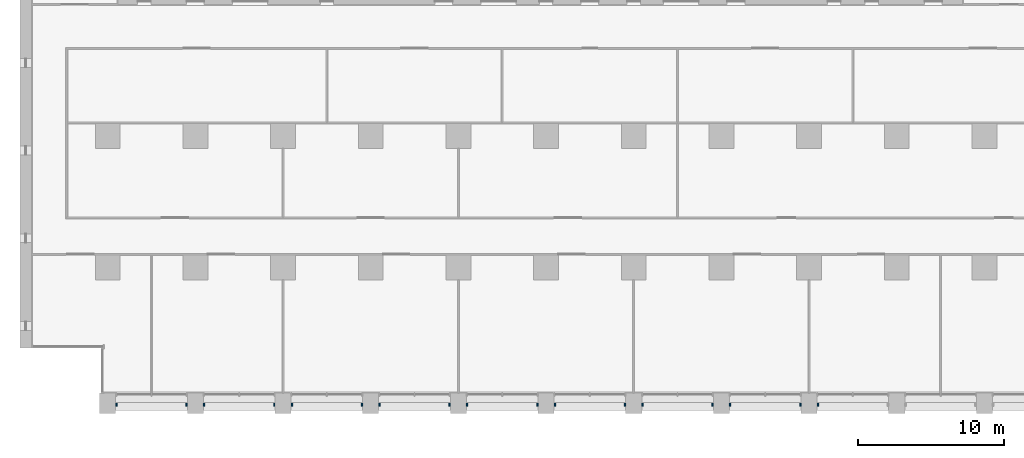
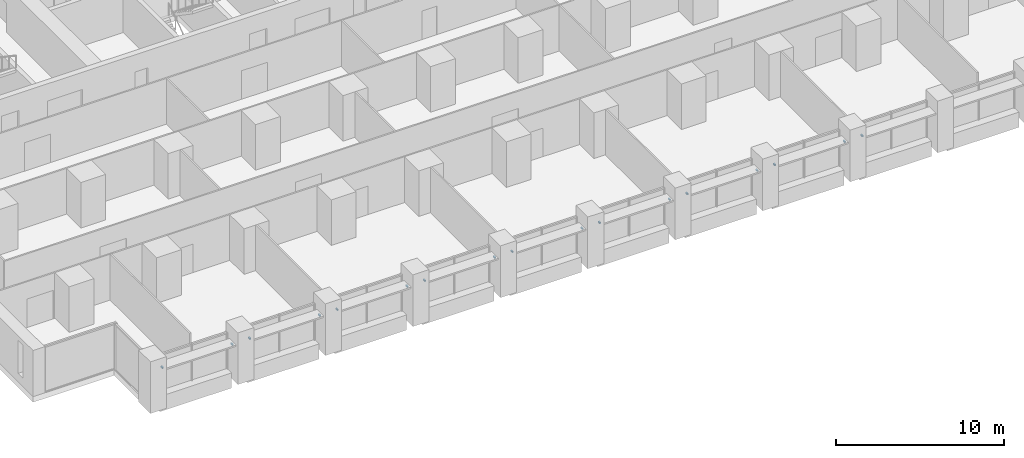
# One storey, part 15 of 18: 17 discrete accessories.
"""IFC4 building model written with IfcOpenShell, lengths in metres."""

from ifc_helpers import new_model, si_unit, direction, frame, origin, origin_2d, place, context, subcontext, project, spatial, rectangle, extrude, element, save


model = new_model("IFC4")

# Units and contexts
model_context = context("Model", 3, precision=1e-05, world=origin(), true_north=direction((0.0, 1.0)))
body_context = subcontext(model_context, "Body", "Model", "MODEL_VIEW")
ifc_project = project(units=[si_unit("LENGTHUNIT", "METRE"), si_unit("AREAUNIT", "SQUARE_METRE"), si_unit("VOLUMEUNIT", "CUBIC_METRE"), si_unit("PLANEANGLEUNIT", "RADIAN"), si_unit("MASSUNIT", "GRAM", prefix="KILO")], contexts=[model_context])

# Site, building, storey
site_placement = place(None, origin())
site = spatial("IfcSite", under=ifc_project, at=site_placement, CompositionType="ELEMENT")
building_placement = place(site_placement, origin())
building = spatial("IfcBuilding", under=site, at=building_placement, Name="Calvaro Tower", CompositionType="ELEMENT")
storey_placement = place(building_placement, frame((0.0, 0.0, 52.5)))
storey = spatial("IfcBuildingStorey", under=building, at=storey_placement, Name="L12", CompositionType="ELEMENT", Elevation=52.5)

# Discrete accessories
for number, where, z_axis, x_axis, name in (
    (1, (6.60009765625, 0.60009765625, 2.14990234375), (0.0, 0.0, 1.0), (1.0, 0.0, 0.0), "Brise-soleil bracket"),
    (2, (11.39990234375, 0.60009765625, 2.14990234375), (0.0, 0.0, 1.0), (1.0, 0.0, 0.0), "Brise-soleil bracket"),
    (3, (12.60009765625, 0.60009765625, 2.14990234375), (0.0, 0.0, 1.0), (1.0, 0.0, 0.0), "Brise-soleil bracket"),
    (4, (17.39990234375, 0.60009765625, 2.14990234375), (0.0, 0.0, 1.0), (1.0, 0.0, 0.0), "Brise-soleil bracket"),
    (5, (18.60009765625, 0.60009765625, 2.14990234375), (0.0, 0.0, 1.0), (1.0, 0.0, 0.0), "Brise-soleil bracket"),
    (6, (23.39990234375, 0.60009765625, 2.14990234375), (0.0, 0.0, 1.0), (1.0, 0.0, 0.0), "Brise-soleil bracket"),
    (7, (24.60009765625, 0.60009765625, 2.14990234375), (0.0, 0.0, 1.0), (1.0, 0.0, 0.0), "Brise-soleil bracket"),
    (8, (29.39990234375, 0.60009765625, 2.14990234375), (0.0, 0.0, 1.0), (1.0, 0.0, 0.0), "Brise-soleil bracket"),
    (9, (30.60009765625, 0.60009765625, 2.14990234375), (0.0, 0.0, 1.0), (1.0, 0.0, 0.0), "Brise-soleil bracket"),
    (10, (35.39990234375, 0.60009765625, 2.14990234375), (0.0, 0.0, 1.0), (1.0, 0.0, 0.0), "Brise-soleil bracket"),
    (11, (36.60009765625, 0.60009765625, 2.14990234375), (0.0, 0.0, 1.0), (1.0, 0.0, 0.0), "Brise-soleil bracket"),
    (12, (41.39990234375, 0.60009765625, 2.14990234375), (0.0, 0.0, 1.0), (1.0, 0.0, 0.0), "Brise-soleil bracket"),
    (13, (42.60009765625, 0.60009765625, 2.14990234375), (0.0, 0.0, 1.0), (1.0, 0.0, 0.0), "Brise-soleil bracket"),
    (14, (47.39990234375, 0.60009765625, 2.14990234375), (0.0, 0.0, 1.0), (1.0, 0.0, 0.0), "Brise-soleil bracket"),
    (15, (48.60009765625, 0.60009765625, 2.14990234375), (0.0, 0.0, 1.0), (1.0, 0.0, 0.0), "Brise-soleil bracket"),
    (16, (53.39990234375, 0.60009765625, 2.14990234375), (0.0, 0.0, 1.0), (1.0, 0.0, 0.0), "Brise-soleil bracket"),
    (17, (54.60009765625, 0.60009765625, 2.14990234375), (0.0, 0.0, 1.0), (1.0, 0.0, 0.0), "Brise-soleil bracket"),
):
    element("IfcDiscreteAccessory", number, at=place(storey_placement, frame(where, z_axis=z_axis, x_axis=x_axis)), inside=storey, Name=name, PredefinedType="BRACKET", context=body_context, shape_type="SweptSolid", body=[
        extrude(rectangle(XDim=0.10009765625, YDim=0.199951171875, at=origin_2d()), origin(), (0.0, 0.0, 1.0), 0.10009765625),
    ])

save(model, "model.ifc")
